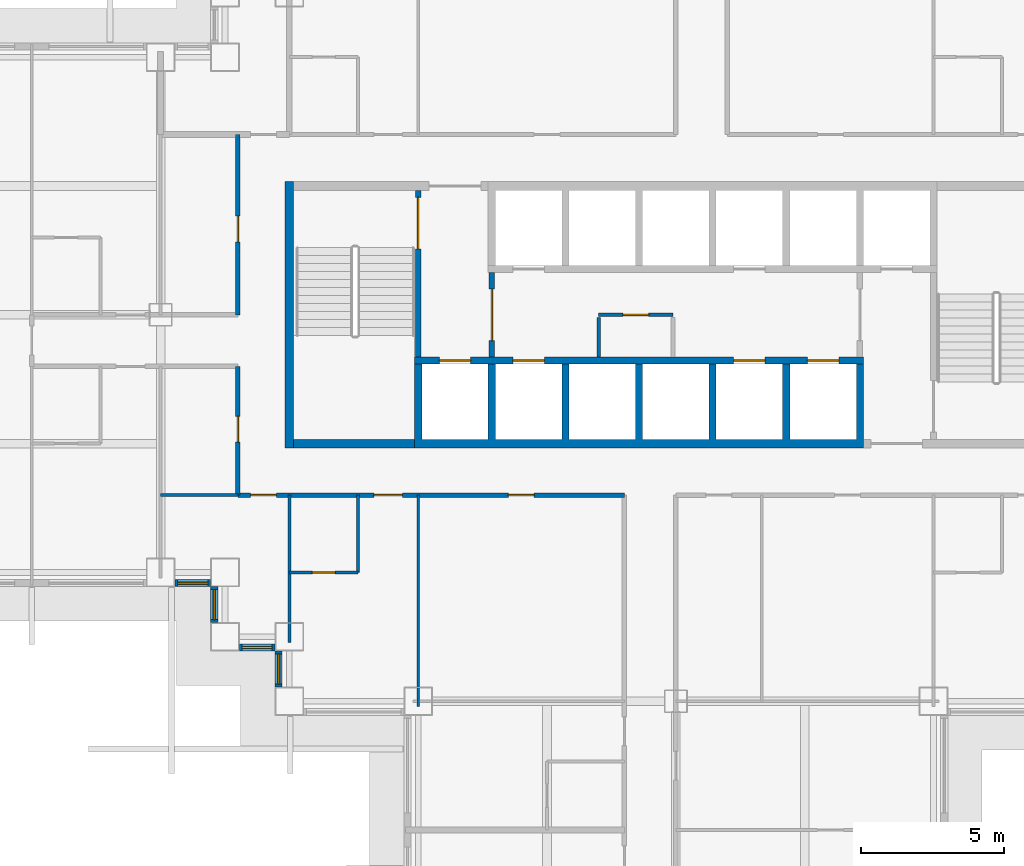
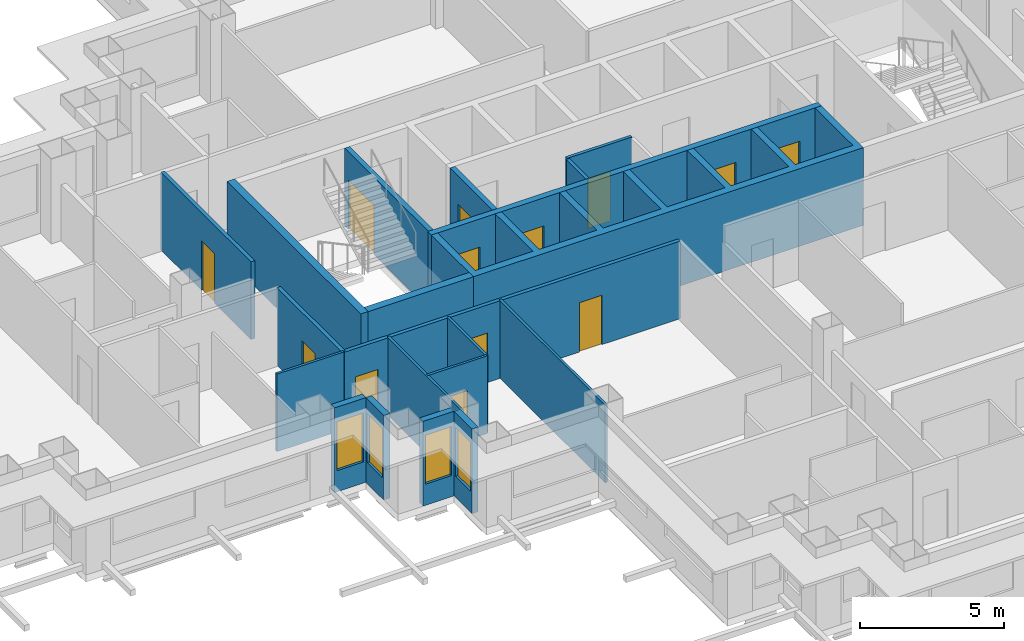
# One storey, part 4 of 15: 20 walls, 13 doors, 4 windows, 17 openings.
"""IFC4 building model written with IfcOpenShell, lengths in metres."""

from ifc_helpers import new_model, si_unit, direction, frame, frame_2d, origin, place, context, subcontext, project, spatial, polyline, rectangle, outline, extrude, material, layer, layer_set, type_object, element, fill, save


model = new_model("IFC4")

# Units and contexts
model_context = context("Model", 3, precision=1e-05, world=origin(), true_north=direction((0.0, 1.0)))
body_context = subcontext(model_context, "Body", "Model", "MODEL_VIEW")
ifc_project = project(units=[si_unit("LENGTHUNIT", "METRE"), si_unit("AREAUNIT", "SQUARE_METRE"), si_unit("VOLUMEUNIT", "CUBIC_METRE"), si_unit("PLANEANGLEUNIT", "RADIAN"), si_unit("MASSUNIT", "GRAM", prefix="KILO")], contexts=[model_context])

# Site, building, storey
site_placement = place(None, origin())
site = spatial("IfcSite", under=ifc_project, at=site_placement, CompositionType="ELEMENT")
building_placement = place(site_placement, origin())
building = spatial("IfcBuilding", under=site, at=building_placement, Name="Caravel Reach Hotel and Residences", CompositionType="ELEMENT")
storey_placement = place(building_placement, frame((0.0, 0.0, 60.0)))
storey = spatial("IfcBuildingStorey", under=building, at=storey_placement, Name="L13", CompositionType="ELEMENT", Elevation=60.0)

# Wall, opening, door
ifc_material_1 = material(Name="Gypsum board on steel stud", Category="steel")
ifc_layer_1 = layer(ifc_material_1, 0.10009765625)
ifc_layer_set_1 = layer_set([ifc_layer_1], Name="Bathroom pod wall 100 mm")
wall_type_1 = type_object("IfcWallType", Name="Bathroom pod wall 100 mm", PredefinedType="PARTITIONING", material=ifc_layer_set_1)
wall_1_placement = place(storey_placement, frame((18.0, 18.0, 0.0), z_axis=(0.0, 0.0, 1.0), x_axis=(1.0, 0.0, 0.0)))
wall_1 = element("IfcWall", 1, at=wall_1_placement, inside=storey, type_object=wall_type_1, Name="L13 wall w075", PredefinedType="PARTITIONING", context=body_context, shape_type="SweptSolid", body=[
    extrude(rectangle(XDim=2.39990234375, YDim=0.10009765625, at=frame_2d((1.199951171875, 0.0))), origin(), (0.0, 0.0, 1.0), 3.300048828125),
])
opening_1_placement = place(wall_1_placement, frame((0.800048828125, 0.0, 0.0)))
opening_1 = element("IfcOpeningElement", 2, at=opening_1_placement, cuts=wall_1, Name="Opening D13-047", PredefinedType="OPENING", context=body_context, shape_type="SweptSolid", body=[
    extrude(rectangle(XDim=0.800048828125, YDim=2.10009765625, at=frame_2d((0.39990234375, 1.050048828125))), frame((0.0, 0.06005859375, 0.0), z_axis=(0.0, -1.0, 0.0), x_axis=(1.0, 0.0, 0.0)), (0.0, 0.0, 1.0), 0.1201171875),
])
ifc_material_2 = material(Name="Timber and steel door leaf", Category="steel")
door_type_1 = type_object("IfcDoorType", Name="Bathroom door 800 x 2100", OperationType="SINGLE_SWING_LEFT", PredefinedType="DOOR", material=ifc_material_2)
door_1_placement = place(opening_1_placement, origin())
door_1 = element("IfcDoor", 3, at=door_1_placement, inside=storey, type_object=door_type_1, Name="door D13-047", OperationType="SINGLE_SWING_LEFT", OverallHeight=2.10009765625, OverallWidth=0.800048828125, PredefinedType="DOOR", context=body_context, shape_type="SweptSolid", body=[
    extrude(rectangle(XDim=0.800048828125, YDim=2.10009765625, at=frame_2d((0.39990234375, 1.050048828125))), frame((0.0, 0.02490234375, 0.0), z_axis=(0.0, -1.0, 0.0), x_axis=(1.0, 0.0, 0.0)), (0.0, 0.0, 1.0), 0.050048828125),
])
fill(opening_1, door_1)

# Walls
wall_2_placement = place(storey_placement, frame((20.39990234375, 18.0, 0.0), z_axis=(0.0, 0.0, 1.0), x_axis=(0.0, 1.0, 0.0)))
element("IfcWall", 4, at=wall_2_placement, inside=storey, type_object=wall_type_1, Name="L13 wall w091", PredefinedType="PARTITIONING", context=body_context, shape_type="SweptSolid", body=[
    extrude(rectangle(XDim=2.699951171875, YDim=0.10009765625, at=frame_2d((1.35009765625, 0.0))), origin(), (0.0, 0.0, 1.0), 3.300048828125),
])
ifc_material_3 = material(Name="Concrete C60", Category="concrete")
ifc_layer_2 = layer(ifc_material_3, 0.300048828125)
ifc_layer_set_2 = layer_set([ifc_layer_2], Name="Core wall 300 mm EI 120")
wall_type_2 = type_object("IfcWallType", Name="Core wall 300 mm EI 120", PredefinedType="SHEAR", material=ifc_layer_set_2)
wall_3_placement = place(storey_placement, frame((18.14990234375, 22.5, 0.0), z_axis=(0.0, 0.0, 1.0), x_axis=(1.0, 0.0, 0.0)))
element("IfcWall", 5, at=wall_3_placement, inside=storey, type_object=wall_type_2, Name="L13 core wall S1", PredefinedType="SHEAR", context=body_context, shape_type="SweptSolid", body=[
    extrude(rectangle(XDim=4.22509765625, YDim=0.300048828125, at=frame_2d((2.112548828125, 0.0))), origin(), (0.0, 0.0, 1.0), 3.300048828125),
])
wall_4_placement = place(storey_placement, frame((18.0, 22.35009765625, 0.0), z_axis=(0.0, 0.0, 1.0), x_axis=(0.0, 1.0, 0.0)))
element("IfcWall", 6, at=wall_4_placement, inside=storey, type_object=wall_type_2, Name="L13 core wall W", PredefinedType="SHEAR", context=body_context, shape_type="SweptSolid", body=[
    extrude(rectangle(XDim=9.2998046875, YDim=0.300048828125, at=frame_2d((4.64990234375, 0.0))), origin(), (0.0, 0.0, 1.0), 3.300048828125),
])

# Wall, openings, doors
ifc_material_4 = material(Name="Gypsum board on steel stud, fire-rated", Category="steel")
ifc_layer_3 = layer(ifc_material_4, 0.14990234375)
ifc_layer_set_3 = layer_set([ifc_layer_3], Name="Corridor wall 150 mm EI 60")
wall_type_3 = type_object("IfcWallType", Name="Corridor wall 150 mm EI 60", PredefinedType="PARTITIONING", material=ifc_layer_set_3)
wall_5_placement = place(storey_placement, frame((16.199951171875, 20.699951171875, 0.0), z_axis=(0.0, 0.0, 1.0), x_axis=(1.0, 0.0, 0.0)))
wall_5 = element("IfcWall", 7, at=wall_5_placement, inside=storey, type_object=wall_type_3, Name="L13 wall w006", PredefinedType="PARTITIONING", context=body_context, shape_type="SweptSolid", body=[
    extrude(rectangle(XDim=13.5, YDim=0.14990234375, at=frame_2d((6.75, 0.0))), origin(), (0.0, 0.0, 1.0), 3.300048828125),
])
opening_2_placement = place(wall_5_placement, frame((4.75, 0.0, 0.0)))
opening_2 = element("IfcOpeningElement", 8, at=opening_2_placement, cuts=wall_5, Name="Opening D13-046", PredefinedType="OPENING", context=body_context, shape_type="SweptSolid", body=[
    extrude(rectangle(XDim=1.0, YDim=2.10009765625, at=frame_2d((0.5, 1.050048828125))), frame((0.0, 0.0849609375, 0.0), z_axis=(0.0, -1.0, 0.0), x_axis=(1.0, 0.0, 0.0)), (0.0, 0.0, 1.0), 0.169921875),
])
opening_3_placement = place(wall_5_placement, frame((0.449951171875, 0.0, 0.0)))
opening_3 = element("IfcOpeningElement", 9, at=opening_3_placement, cuts=wall_5, Name="Opening D13-048", PredefinedType="OPENING", context=body_context, shape_type="SweptSolid", body=[
    extrude(rectangle(XDim=0.89990234375, YDim=2.10009765625, at=frame_2d((0.449951171875, 1.050048828125))), frame((0.0, 0.0849609375, 0.0), z_axis=(0.0, -1.0, 0.0), x_axis=(1.0, 0.0, 0.0)), (0.0, 0.0, 1.0), 0.169921875),
])
opening_4_placement = place(wall_5_placement, frame((9.449951171875, 0.0, 0.0)))
opening_4 = element("IfcOpeningElement", 10, at=opening_4_placement, cuts=wall_5, Name="Opening D13-054", PredefinedType="OPENING", context=body_context, shape_type="SweptSolid", body=[
    extrude(rectangle(XDim=0.89990234375, YDim=2.10009765625, at=frame_2d((0.449951171875, 1.050048828125))), frame((0.0, 0.0849609375, 0.0), z_axis=(0.0, -1.0, 0.0), x_axis=(1.0, 0.0, 0.0)), (0.0, 0.0, 1.0), 0.169921875),
])
ifc_material_5 = material(Name="Timber and steel door leaf", Category="steel")
door_type_2 = type_object("IfcDoorType", Name="Door 900 x 2100 timber", OperationType="SINGLE_SWING_LEFT", PredefinedType="DOOR", material=ifc_material_5)
door_2_placement = place(opening_3_placement, origin())
door_2 = element("IfcDoor", 11, at=door_2_placement, inside=storey, type_object=door_type_2, Name="door D13-048", OperationType="SINGLE_SWING_LEFT", OverallHeight=2.10009765625, OverallWidth=0.89990234375, PredefinedType="DOOR", context=body_context, shape_type="SweptSolid", body=[
    extrude(rectangle(XDim=0.89990234375, YDim=2.10009765625, at=frame_2d((0.449951171875, 1.050048828125))), frame((0.0, 0.02490234375, 0.0), z_axis=(0.0, -1.0, 0.0), x_axis=(1.0, 0.0, 0.0)), (0.0, 0.0, 1.0), 0.050048828125),
])
fill(opening_3, door_2)
door_3_placement = place(opening_4_placement, origin())
door_3 = element("IfcDoor", 12, at=door_3_placement, inside=storey, type_object=door_type_2, Name="door D13-054", OperationType="SINGLE_SWING_RIGHT", OverallHeight=2.10009765625, OverallWidth=0.89990234375, PredefinedType="DOOR", context=body_context, shape_type="SweptSolid", body=[
    extrude(rectangle(XDim=0.89990234375, YDim=2.10009765625, at=frame_2d((0.449951171875, 1.050048828125))), frame((0.0, 0.02490234375, 0.0), z_axis=(0.0, -1.0, 0.0), x_axis=(1.0, 0.0, 0.0)), (0.0, 0.0, 1.0), 0.050048828125),
])
fill(opening_4, door_3)
ifc_material_6 = material(Name="Steel fire door leaf", Category="steel")
door_type_3 = type_object("IfcDoorType", Name="Guest room door 1000 x 2100 EI 30", OperationType="SINGLE_SWING_LEFT", PredefinedType="DOOR", material=ifc_material_6)
door_4_placement = place(opening_2_placement, origin())
door_4 = element("IfcDoor", 13, at=door_4_placement, inside=storey, type_object=door_type_3, Name="door D13-046", OperationType="SINGLE_SWING_RIGHT", OverallHeight=2.10009765625, OverallWidth=1.0, PredefinedType="DOOR", context=body_context, shape_type="SweptSolid", body=[
    extrude(rectangle(XDim=1.0, YDim=2.10009765625, at=frame_2d((0.5, 1.050048828125))), frame((0.0, 0.02490234375, 0.0), z_axis=(0.0, -1.0, 0.0), x_axis=(1.0, 0.0, 0.0)), (0.0, 0.0, 1.0), 0.050048828125),
])
fill(opening_2, door_4)

# Wall, opening, door
wall_6_placement = place(storey_placement, frame((16.199951171875, 27.0, 0.0), z_axis=(0.0, 0.0, 1.0), x_axis=(0.0, 1.0, 0.0)))
wall_6 = element("IfcWall", 14, at=wall_6_placement, inside=storey, type_object=wall_type_3, Name="L13 wall w024", PredefinedType="PARTITIONING", context=body_context, shape_type="SweptSolid", body=[
    extrude(rectangle(XDim=6.300048828125, YDim=0.14990234375, at=frame_2d((3.14990234375, 0.0))), origin(), (0.0, 0.0, 1.0), 3.300048828125),
])
opening_5_placement = place(wall_6_placement, frame((2.550048828125, 0.0, 0.0)))
opening_5 = element("IfcOpeningElement", 15, at=opening_5_placement, cuts=wall_6, Name="Opening D13-058", PredefinedType="OPENING", context=body_context, shape_type="SweptSolid", body=[
    extrude(rectangle(XDim=0.89990234375, YDim=2.10009765625, at=frame_2d((0.449951171875, 1.050048828125))), frame((0.0, 0.0849609375, 0.0), z_axis=(0.0, -1.0, 0.0), x_axis=(1.0, 0.0, 0.0)), (0.0, 0.0, 1.0), 0.169921875),
])
door_5_placement = place(opening_5_placement, origin())
door_5 = element("IfcDoor", 16, at=door_5_placement, inside=storey, type_object=door_type_2, Name="door D13-058", OperationType="SINGLE_SWING_LEFT", OverallHeight=2.10009765625, OverallWidth=0.89990234375, PredefinedType="DOOR", context=body_context, shape_type="SweptSolid", body=[
    extrude(rectangle(XDim=0.89990234375, YDim=2.10009765625, at=frame_2d((0.449951171875, 1.050048828125))), frame((0.0, 0.02490234375, 0.0), z_axis=(0.0, -1.0, 0.0), x_axis=(1.0, 0.0, 0.0)), (0.0, 0.0, 1.0), 0.050048828125),
])
fill(opening_5, door_5)

wall_7_placement = place(storey_placement, frame((16.199951171875, 20.699951171875, 0.0), z_axis=(0.0, 0.0, 1.0), x_axis=(0.0, 1.0, 0.0)))
wall_7 = element("IfcWall", 17, at=wall_7_placement, inside=storey, type_object=wall_type_3, Name="L13 wall w025", PredefinedType="PARTITIONING", context=body_context, shape_type="SweptSolid", body=[
    extrude(rectangle(XDim=4.5, YDim=0.14990234375, at=frame_2d((2.25, 0.0))), origin(), (0.0, 0.0, 1.0), 3.300048828125),
])
opening_6_placement = place(wall_7_placement, frame((1.85009765625, 0.0, 0.0)))
opening_6 = element("IfcOpeningElement", 18, at=opening_6_placement, cuts=wall_7, Name="Opening D13-057", PredefinedType="OPENING", context=body_context, shape_type="SweptSolid", body=[
    extrude(rectangle(XDim=0.89990234375, YDim=2.10009765625, at=frame_2d((0.449951171875, 1.050048828125))), frame((0.0, 0.0849609375, 0.0), z_axis=(0.0, -1.0, 0.0), x_axis=(1.0, 0.0, 0.0)), (0.0, 0.0, 1.0), 0.169921875),
])
door_6_placement = place(opening_6_placement, origin())
door_6 = element("IfcDoor", 19, at=door_6_placement, inside=storey, type_object=door_type_2, Name="door D13-057", OperationType="SINGLE_SWING_RIGHT", OverallHeight=2.10009765625, OverallWidth=0.89990234375, PredefinedType="DOOR", context=body_context, shape_type="SweptSolid", body=[
    extrude(rectangle(XDim=0.89990234375, YDim=2.10009765625, at=frame_2d((0.449951171875, 1.050048828125))), frame((0.0, 0.02490234375, 0.0), z_axis=(0.0, -1.0, 0.0), x_axis=(1.0, 0.0, 0.0)), (0.0, 0.0, 1.0), 0.050048828125),
])
fill(opening_6, door_6)

# Wall, opening, window
ifc_material_7 = material(Name="Insulated rainscreen wall, aluminium cladding", Category="aluminium")
ifc_layer_4 = layer(ifc_material_7, 0.25)
ifc_layer_set_4 = layer_set([ifc_layer_4], Name="EW1 Tower rainscreen wall")
wall_type_4 = type_object("IfcWallType", Name="EW1 Tower rainscreen wall", PredefinedType="SOLIDWALL", material=ifc_layer_set_4)
wall_8_placement = place(storey_placement, frame((14.0, 17.625, 0.0), z_axis=(0.0, 0.0, 1.0), x_axis=(1.0, 0.0, 0.0)))
wall_8 = element("IfcWall", 20, at=wall_8_placement, inside=storey, type_object=wall_type_4, Name="External wall L13 S55.2", PredefinedType="SOLIDWALL", context=body_context, shape_type="SweptSolid", body=[
    extrude(rectangle(XDim=1.25, YDim=0.25, at=frame_2d((0.625, 0.0))), origin(), (0.0, 0.0, 1.0), 3.60009765625),
])
opening_7_placement = place(wall_8_placement, frame((0.10009765625, 0.0, 0.89990234375)))
opening_7 = element("IfcOpeningElement", 21, at=opening_7_placement, cuts=wall_8, Name="Opening WN3", PredefinedType="OPENING", context=body_context, shape_type="SweptSolid", body=[
    extrude(rectangle(XDim=1.050048828125, YDim=2.080078125, at=frame_2d((0.52490234375, 1.0400390625))), frame((0.0, 0.135009765625, 0.0), z_axis=(0.0, -1.0, 0.0), x_axis=(1.0, 0.0, 0.0)), (0.0, 0.0, 1.0), 0.27001953125),
])
ifc_material_8 = material(Name="Dark low-e glazing in black aluminium frame", Category="aluminium")
window_type = type_object("IfcWindowType", Name="Hotel suite corner window 1050 x 2080", PartitioningType="SINGLE_PANEL", PredefinedType="WINDOW", material=ifc_material_8)
window_1_placement = place(opening_7_placement, origin())
window_1 = element("IfcWindow", 22, at=window_1_placement, inside=storey, type_object=window_type, Name="Window L13 S55.2.1", OverallHeight=2.080078125, OverallWidth=1.050048828125, PartitioningType="SINGLE_PANEL", PredefinedType="WINDOW", context=body_context, shape_type="SweptSolid", body=[
    extrude(rectangle(XDim=1.050048828125, YDim=2.080078125, at=frame_2d((0.52490234375, 1.0400390625))), frame((0.0, 0.030029296875, 0.0), z_axis=(0.0, -1.0, 0.0), x_axis=(1.0, 0.0, 0.0)), (0.0, 0.0, 1.0), 0.06005859375),
])
fill(opening_7, window_1)

wall_9_placement = place(storey_placement, frame((15.375, 17.5, 0.0), z_axis=(0.0, 0.0, 1.0), x_axis=(0.0, -1.0, 0.0)))
wall_9 = element("IfcWall", 23, at=wall_9_placement, inside=storey, type_object=wall_type_4, Name="External wall L13 W56.1", PredefinedType="SOLIDWALL", context=body_context, shape_type="SweptSolid", body=[
    extrude(rectangle(XDim=1.25, YDim=0.25, at=frame_2d((0.625, 0.0))), origin(), (0.0, 0.0, 1.0), 3.60009765625),
])
opening_8_placement = place(wall_9_placement, frame((0.10009765625, 0.0, 0.89990234375)))
opening_8 = element("IfcOpeningElement", 24, at=opening_8_placement, cuts=wall_9, Name="Opening WN3", PredefinedType="OPENING", context=body_context, shape_type="SweptSolid", body=[
    extrude(rectangle(XDim=1.050048828125, YDim=2.080078125, at=frame_2d((0.52490234375, 1.0400390625))), frame((0.0, 0.135009765625, 0.0), z_axis=(0.0, -1.0, 0.0), x_axis=(1.0, 0.0, 0.0)), (0.0, 0.0, 1.0), 0.27001953125),
])
window_2_placement = place(opening_8_placement, origin())
window_2 = element("IfcWindow", 25, at=window_2_placement, inside=storey, type_object=window_type, Name="Window L13 W56.1.1", OverallHeight=2.080078125, OverallWidth=1.050048828125, PartitioningType="SINGLE_PANEL", PredefinedType="WINDOW", context=body_context, shape_type="SweptSolid", body=[
    extrude(rectangle(XDim=1.050048828125, YDim=2.080078125, at=frame_2d((0.52490234375, 1.0400390625))), frame((0.0, 0.030029296875, 0.0), z_axis=(0.0, -1.0, 0.0), x_axis=(1.0, 0.0, 0.0)), (0.0, 0.0, 1.0), 0.06005859375),
])
fill(opening_8, window_2)

wall_10_placement = place(storey_placement, frame((16.25, 15.375, 0.0), z_axis=(0.0, 0.0, 1.0), x_axis=(1.0, 0.0, 0.0)))
wall_10 = element("IfcWall", 26, at=wall_10_placement, inside=storey, type_object=wall_type_4, Name="External wall L13 S57.1", PredefinedType="SOLIDWALL", context=body_context, shape_type="SweptSolid", body=[
    extrude(rectangle(XDim=1.25, YDim=0.25, at=frame_2d((0.625, 0.0))), origin(), (0.0, 0.0, 1.0), 3.60009765625),
])
opening_9_placement = place(wall_10_placement, frame((0.10009765625, 0.0, 0.89990234375)))
opening_9 = element("IfcOpeningElement", 27, at=opening_9_placement, cuts=wall_10, Name="Opening WN3", PredefinedType="OPENING", context=body_context, shape_type="SweptSolid", body=[
    extrude(rectangle(XDim=1.050048828125, YDim=2.080078125, at=frame_2d((0.52490234375, 1.0400390625))), frame((0.0, 0.135009765625, 0.0), z_axis=(0.0, -1.0, 0.0), x_axis=(1.0, 0.0, 0.0)), (0.0, 0.0, 1.0), 0.27001953125),
])
window_3_placement = place(opening_9_placement, origin())
window_3 = element("IfcWindow", 28, at=window_3_placement, inside=storey, type_object=window_type, Name="Window L13 S57.1.1", OverallHeight=2.080078125, OverallWidth=1.050048828125, PartitioningType="SINGLE_PANEL", PredefinedType="WINDOW", context=body_context, shape_type="SweptSolid", body=[
    extrude(rectangle(XDim=1.050048828125, YDim=2.080078125, at=frame_2d((0.52490234375, 1.0400390625))), frame((0.0, 0.030029296875, 0.0), z_axis=(0.0, -1.0, 0.0), x_axis=(1.0, 0.0, 0.0)), (0.0, 0.0, 1.0), 0.06005859375),
])
fill(opening_9, window_3)

wall_11_placement = place(storey_placement, frame((17.625, 15.25, 0.0), z_axis=(0.0, 0.0, 1.0), x_axis=(0.0, -1.0, 0.0)))
wall_11 = element("IfcWall", 29, at=wall_11_placement, inside=storey, type_object=wall_type_4, Name="External wall L13 W58.1", PredefinedType="SOLIDWALL", context=body_context, shape_type="SweptSolid", body=[
    extrude(rectangle(XDim=1.25, YDim=0.25, at=frame_2d((0.625, 0.0))), origin(), (0.0, 0.0, 1.0), 3.60009765625),
])
opening_10_placement = place(wall_11_placement, frame((0.10009765625, 0.0, 0.89990234375)))
opening_10 = element("IfcOpeningElement", 30, at=opening_10_placement, cuts=wall_11, Name="Opening WN3", PredefinedType="OPENING", context=body_context, shape_type="SweptSolid", body=[
    extrude(rectangle(XDim=1.050048828125, YDim=2.080078125, at=frame_2d((0.52490234375, 1.0400390625))), frame((0.0, 0.135009765625, 0.0), z_axis=(0.0, -1.0, 0.0), x_axis=(1.0, 0.0, 0.0)), (0.0, 0.0, 1.0), 0.27001953125),
])
window_4_placement = place(opening_10_placement, origin())
window_4 = element("IfcWindow", 31, at=window_4_placement, inside=storey, type_object=window_type, Name="Window L13 W58.1.1", OverallHeight=2.080078125, OverallWidth=1.050048828125, PartitioningType="SINGLE_PANEL", PredefinedType="WINDOW", context=body_context, shape_type="SweptSolid", body=[
    extrude(rectangle(XDim=1.050048828125, YDim=2.080078125, at=frame_2d((0.52490234375, 1.0400390625))), frame((0.0, 0.030029296875, 0.0), z_axis=(0.0, -1.0, 0.0), x_axis=(1.0, 0.0, 0.0)), (0.0, 0.0, 1.0), 0.06005859375),
])
fill(opening_10, window_4)

# Wall, opening, door
ifc_material_9 = material(Name="Autoclaved aerated block wall")
ifc_layer_5 = layer(ifc_material_9, 0.199951171875)
ifc_layer_set_5 = layer_set([ifc_layer_5], Name="Fire lobby wall 200 mm EI 120")
wall_type_5 = type_object("IfcWallType", Name="Fire lobby wall 200 mm EI 120", PredefinedType="PARTITIONING", material=ifc_layer_set_5)
wall_12_placement = place(storey_placement, frame((25.071533203125, 25.52490234375, 0.0), z_axis=(0.0, 0.0, 1.0), x_axis=(0.0, 1.0, 0.0)))
wall_12 = element("IfcWall", 32, at=wall_12_placement, inside=storey, type_object=wall_type_5, Name="L13 lobby W wall", PredefinedType="PARTITIONING", context=body_context, shape_type="SweptSolid", body=[
    extrude(rectangle(XDim=2.9501953125, YDim=0.199951171875, at=frame_2d((1.47509765625, 0.0))), origin(), (0.0, 0.0, 1.0), 3.300048828125),
])
opening_11_placement = place(wall_12_placement, frame((0.574951171875, 0.0, 0.0)))
opening_11 = element("IfcOpeningElement", 33, at=opening_11_placement, cuts=wall_12, Name="Opening D13-011", PredefinedType="OPENING", context=body_context, shape_type="SweptSolid", body=[
    extrude(rectangle(XDim=1.800048828125, YDim=2.10009765625, at=frame_2d((0.89990234375, 1.050048828125))), frame((0.0, 0.10986328125, 0.0), z_axis=(0.0, -1.0, 0.0), x_axis=(1.0, 0.0, 0.0)), (0.0, 0.0, 1.0), 0.219970703125),
])
ifc_material_10 = material(Name="Steel fire door leaf", Category="steel")
door_type_4 = type_object("IfcDoorType", Name="Fire lobby door pair 1800 x 2100 EI 90", OperationType="DOUBLE_DOOR_SINGLE_SWING", PredefinedType="DOOR", material=ifc_material_10)
door_7_placement = place(opening_11_placement, origin())
door_7 = element("IfcDoor", 34, at=door_7_placement, inside=storey, type_object=door_type_4, Name="lobby W door pair", OperationType="DOUBLE_DOOR_SINGLE_SWING", OverallHeight=2.10009765625, OverallWidth=1.800048828125, PredefinedType="DOOR", context=body_context, shape_type="SweptSolid", body=[
    extrude(rectangle(XDim=1.800048828125, YDim=2.10009765625, at=frame_2d((0.89990234375, 1.050048828125))), frame((0.0, 0.02490234375, 0.0), z_axis=(0.0, -1.0, 0.0), x_axis=(1.0, 0.0, 0.0)), (0.0, 0.0, 1.0), 0.050048828125),
])
fill(opening_11, door_7)

# Walls
ifc_material_11 = material(Name="Gypsum board on steel stud", Category="steel")
ifc_layer_6 = layer(ifc_material_11, 0.10009765625)
ifc_layer_set_6 = layer_set([ifc_layer_6], Name="Partition 100 mm")
wall_type_6 = type_object("IfcWallType", Name="Partition 100 mm", PredefinedType="PARTITIONING", material=ifc_layer_set_6)
wall_13_placement = place(storey_placement, frame((13.5, 20.699951171875, 0.0), z_axis=(0.0, 0.0, 1.0), x_axis=(1.0, 0.0, 0.0)))
element("IfcWall", 35, at=wall_13_placement, inside=storey, type_object=wall_type_6, Name="L13 wall w043", PredefinedType="PARTITIONING", context=body_context, shape_type="SweptSolid", body=[
    extrude(rectangle(XDim=2.699951171875, YDim=0.10009765625, at=frame_2d((1.35009765625, 0.0))), origin(), (0.0, 0.0, 1.0), 3.300048828125),
])
wall_14_placement = place(storey_placement, frame((18.0, 15.56005859375, 0.0), z_axis=(0.0, 0.0, 1.0), x_axis=(0.0, 1.0, 0.0)))
element("IfcWall", 36, at=wall_14_placement, inside=storey, type_object=wall_type_6, Name="L13 wall w056", PredefinedType="PARTITIONING", context=body_context, shape_type="SweptSolid", body=[
    extrude(rectangle(XDim=5.139892578125, YDim=0.10009765625, at=frame_2d((2.56982421875, 0.0))), origin(), (0.0, 0.0, 1.0), 3.300048828125),
])
wall_15_placement = place(storey_placement, frame((22.5, 13.31005859375, 0.0), z_axis=(0.0, 0.0, 1.0), x_axis=(0.0, 1.0, 0.0)))
element("IfcWall", 37, at=wall_15_placement, inside=storey, type_object=wall_type_6, Name="L13 wall w058", PredefinedType="PARTITIONING", context=body_context, shape_type="SweptSolid", body=[
    extrude(rectangle(XDim=7.389892578125, YDim=0.10009765625, at=frame_2d((3.69482421875, 0.0))), origin(), (0.0, 0.0, 1.0), 3.300048828125),
])

# Wall, opening, door
ifc_material_12 = material(Name="Autoclaved aerated block wall")
ifc_layer_7 = layer(ifc_material_12, 0.125)
ifc_layer_set_7 = layer_set([ifc_layer_7], Name="Riser wall 125 mm EI 60")
wall_type_7 = type_object("IfcWallType", Name="Riser wall 125 mm EI 60", PredefinedType="PARTITIONING", material=ifc_layer_set_7)
wall_16_placement = place(storey_placement, frame((28.800048828125, 27.0, 0.0), z_axis=(0.0, 0.0, 1.0), x_axis=(1.0, 0.0, 0.0)))
wall_16 = element("IfcWall", 38, at=wall_16_placement, inside=storey, type_object=wall_type_7, Name="L13 service room wall S1", PredefinedType="PARTITIONING", context=body_context, shape_type="SweptSolid", body=[
    extrude(rectangle(XDim=2.599853515625, YDim=0.125, at=frame_2d((1.2998046875, 0.0))), origin(), (0.0, 0.0, 1.0), 3.300048828125),
])
opening_12_placement = place(wall_16_placement, frame((0.85009765625, 0.0, 0.0)))
opening_12 = element("IfcOpeningElement", 39, at=opening_12_placement, cuts=wall_16, Name="Opening D13-008", PredefinedType="OPENING", context=body_context, shape_type="SweptSolid", body=[
    extrude(rectangle(XDim=0.89990234375, YDim=2.10009765625, at=frame_2d((0.449951171875, 1.050048828125))), frame((0.0, 0.072509765625, 0.0), z_axis=(0.0, -1.0, 0.0), x_axis=(1.0, 0.0, 0.0)), (0.0, 0.0, 1.0), 0.14501953125),
])
ifc_material_13 = material(Name="Steel fire door leaf", Category="steel")
door_type_5 = type_object("IfcDoorType", Name="Riser door 900 x 2100 EI 60", OperationType="SINGLE_SWING_LEFT", PredefinedType="DOOR", material=ifc_material_13)
door_8_placement = place(opening_12_placement, origin())
door_8 = element("IfcDoor", 40, at=door_8_placement, inside=storey, type_object=door_type_5, Name="Service store door", OperationType="SINGLE_SWING_LEFT", OverallHeight=2.10009765625, OverallWidth=0.89990234375, PredefinedType="DOOR", context=body_context, shape_type="SweptSolid", body=[
    extrude(rectangle(XDim=0.89990234375, YDim=2.10009765625, at=frame_2d((0.449951171875, 1.050048828125))), frame((0.0, 0.02490234375, 0.0), z_axis=(0.0, -1.0, 0.0), x_axis=(1.0, 0.0, 0.0)), (0.0, 0.0, 1.0), 0.050048828125),
])
fill(opening_12, door_8)

# Walls
wall_17_placement = place(storey_placement, frame((28.800048828125, 25.52490234375, 0.0), z_axis=(0.0, 0.0, 1.0), x_axis=(0.0, 1.0, 0.0)))
element("IfcWall", 41, at=wall_17_placement, inside=storey, type_object=wall_type_7, Name="L13 service room partition S1", PredefinedType="PARTITIONING", context=body_context, shape_type="SweptSolid", body=[
    extrude(rectangle(XDim=1.375, YDim=0.125, at=frame_2d((0.6875, 0.0))), origin(), (0.0, 0.0, 1.0), 3.300048828125),
])
ifc_material_14 = material(Name="Concrete C60", Category="concrete")
ifc_layer_8 = layer(ifc_material_14, 0.25)
ifc_layer_set_8 = layer_set([ifc_layer_8], Name="Shaft wall 250 mm EI 120")
wall_type_8 = type_object("IfcWallType", Name="Shaft wall 250 mm EI 120", PredefinedType="SHEAR", material=ifc_layer_set_8)
wall_18_placement = place(storey_placement, origin())
element("IfcWall", 42, at=wall_18_placement, inside=storey, type_object=wall_type_8, Name="L13 lift shaft wall S1", PredefinedType="SHEAR", context=body_context, shape_type="SweptSolid", body=[
    extrude(outline(polyline([(22.375, 22.35009765625), (38.053466796875, 22.35009765625), (38.053466796875, 25.27490234375), (37.803466796875, 25.27490234375), (37.803466796875, 22.64990234375), (35.482177734375, 22.64990234375), (35.482177734375, 25.27490234375), (35.232177734375, 25.27490234375), (35.232177734375, 22.64990234375), (32.91064453125, 22.64990234375), (32.91064453125, 25.27490234375), (32.66064453125, 25.27490234375), (32.66064453125, 22.64990234375), (30.33935546875, 22.64990234375), (30.33935546875, 25.27490234375), (30.08935546875, 25.27490234375), (30.08935546875, 22.64990234375), (27.767822265625, 22.64990234375), (27.767822265625, 25.27490234375), (27.517822265625, 25.27490234375), (27.517822265625, 22.64990234375), (25.196533203125, 22.64990234375), (25.196533203125, 25.27490234375), (24.946533203125, 25.27490234375), (24.946533203125, 22.64990234375), (22.625, 22.64990234375), (22.625, 25.27490234375), (22.375, 25.27490234375), (22.375, 22.35009765625)])), origin(), (0.0, 0.0, 1.0), 3.300048828125),
])

# Wall, openings, doors
wall_19_placement = place(storey_placement, frame((22.375, 25.39990234375, 0.0), z_axis=(0.0, 0.0, 1.0), x_axis=(1.0, 0.0, 0.0)))
wall_19 = element("IfcWall", 43, at=wall_19_placement, inside=storey, type_object=wall_type_8, Name="L13 lobby wall S1", PredefinedType="SHEAR", context=body_context, shape_type="SweptSolid", body=[
    extrude(rectangle(XDim=15.678466796875, YDim=0.25, at=frame_2d((7.83935546875, 0.0))), origin(), (0.0, 0.0, 1.0), 3.300048828125),
])
opening_13_placement = place(wall_19_placement, frame((3.43212890625, 0.0, 0.0)))
opening_13 = element("IfcOpeningElement", 44, at=opening_13_placement, cuts=wall_19, Name="Opening D13-001", PredefinedType="OPENING", context=body_context, shape_type="SweptSolid", body=[
    extrude(rectangle(XDim=1.10009765625, YDim=2.10009765625, at=frame_2d((0.550048828125, 1.050048828125))), frame((0.0, 0.135009765625, 0.0), z_axis=(0.0, -1.0, 0.0), x_axis=(1.0, 0.0, 0.0)), (0.0, 0.0, 1.0), 0.27001953125),
])
opening_14_placement = place(wall_19_placement, frame((11.146484375, 0.0, 0.0)))
opening_14 = element("IfcOpeningElement", 45, at=opening_14_placement, cuts=wall_19, Name="Opening D13-002", PredefinedType="OPENING", context=body_context, shape_type="SweptSolid", body=[
    extrude(rectangle(XDim=1.10009765625, YDim=2.10009765625, at=frame_2d((0.550048828125, 1.050048828125))), frame((0.0, 0.135009765625, 0.0), z_axis=(0.0, -1.0, 0.0), x_axis=(1.0, 0.0, 0.0)), (0.0, 0.0, 1.0), 0.27001953125),
])
opening_15_placement = place(wall_19_placement, frame((13.718017578125, 0.0, 0.0)))
opening_15 = element("IfcOpeningElement", 46, at=opening_15_placement, cuts=wall_19, Name="Opening D13-003", PredefinedType="OPENING", context=body_context, shape_type="SweptSolid", body=[
    extrude(rectangle(XDim=1.10009765625, YDim=2.10009765625, at=frame_2d((0.550048828125, 1.050048828125))), frame((0.0, 0.135009765625, 0.0), z_axis=(0.0, -1.0, 0.0), x_axis=(1.0, 0.0, 0.0)), (0.0, 0.0, 1.0), 0.27001953125),
])
opening_16_placement = place(wall_19_placement, frame((0.860595703125, 0.0, 0.0)))
opening_16 = element("IfcOpeningElement", 47, at=opening_16_placement, cuts=wall_19, Name="Opening D13-006", PredefinedType="OPENING", context=body_context, shape_type="SweptSolid", body=[
    extrude(rectangle(XDim=1.10009765625, YDim=2.10009765625, at=frame_2d((0.550048828125, 1.050048828125))), frame((0.0, 0.135009765625, 0.0), z_axis=(0.0, -1.0, 0.0), x_axis=(1.0, 0.0, 0.0)), (0.0, 0.0, 1.0), 0.27001953125),
])
ifc_material_15 = material(Name="Stainless steel landing door", Category="steel")
door_type_6 = type_object("IfcDoorType", Name="Landing door LD 1100 x 2100 sliding", OperationType="DOUBLE_DOOR_SLIDING", PredefinedType="DOOR", material=ifc_material_15)
door_9_placement = place(opening_13_placement, origin())
door_9 = element("IfcDoor", 48, at=door_9_placement, inside=storey, type_object=door_type_6, Name="LP1 landing door", OperationType="DOUBLE_DOOR_SLIDING", OverallHeight=2.10009765625, OverallWidth=1.10009765625, PredefinedType="DOOR", context=body_context, shape_type="SweptSolid", body=[
    extrude(rectangle(XDim=1.10009765625, YDim=2.10009765625, at=frame_2d((0.550048828125, 1.050048828125))), frame((0.0, 0.02490234375, 0.0), z_axis=(0.0, -1.0, 0.0), x_axis=(1.0, 0.0, 0.0)), (0.0, 0.0, 1.0), 0.050048828125),
])
fill(opening_13, door_9)
door_10_placement = place(opening_14_placement, origin())
door_10 = element("IfcDoor", 49, at=door_10_placement, inside=storey, type_object=door_type_6, Name="LP2 landing door", OperationType="DOUBLE_DOOR_SLIDING", OverallHeight=2.10009765625, OverallWidth=1.10009765625, PredefinedType="DOOR", context=body_context, shape_type="SweptSolid", body=[
    extrude(rectangle(XDim=1.10009765625, YDim=2.10009765625, at=frame_2d((0.550048828125, 1.050048828125))), frame((0.0, 0.02490234375, 0.0), z_axis=(0.0, -1.0, 0.0), x_axis=(1.0, 0.0, 0.0)), (0.0, 0.0, 1.0), 0.050048828125),
])
fill(opening_14, door_10)
door_11_placement = place(opening_15_placement, origin())
door_11 = element("IfcDoor", 50, at=door_11_placement, inside=storey, type_object=door_type_6, Name="LP3 landing door", OperationType="DOUBLE_DOOR_SLIDING", OverallHeight=2.10009765625, OverallWidth=1.10009765625, PredefinedType="DOOR", context=body_context, shape_type="SweptSolid", body=[
    extrude(rectangle(XDim=1.10009765625, YDim=2.10009765625, at=frame_2d((0.550048828125, 1.050048828125))), frame((0.0, 0.02490234375, 0.0), z_axis=(0.0, -1.0, 0.0), x_axis=(1.0, 0.0, 0.0)), (0.0, 0.0, 1.0), 0.050048828125),
])
fill(opening_15, door_11)
door_12_placement = place(opening_16_placement, origin())
door_12 = element("IfcDoor", 51, at=door_12_placement, inside=storey, type_object=door_type_6, Name="FL1 landing door", OperationType="DOUBLE_DOOR_SLIDING", OverallHeight=2.10009765625, OverallWidth=1.10009765625, PredefinedType="DOOR", context=body_context, shape_type="SweptSolid", body=[
    extrude(rectangle(XDim=1.10009765625, YDim=2.10009765625, at=frame_2d((0.550048828125, 1.050048828125))), frame((0.0, 0.02490234375, 0.0), z_axis=(0.0, -1.0, 0.0), x_axis=(1.0, 0.0, 0.0)), (0.0, 0.0, 1.0), 0.050048828125),
])
fill(opening_16, door_12)

# Wall, opening, door
ifc_material_16 = material(Name="Concrete C60", Category="concrete")
ifc_layer_9 = layer(ifc_material_16, 0.199951171875)
ifc_layer_set_9 = layer_set([ifc_layer_9], Name="Stair enclosure wall 200 mm EI 120")
wall_type_9 = type_object("IfcWallType", Name="Stair enclosure wall 200 mm EI 120", PredefinedType="SHEAR", material=ifc_layer_set_9)
wall_20_placement = place(storey_placement, frame((22.5, 31.35009765625, 0.0), z_axis=(0.0, 0.0, 1.0), x_axis=(0.0, -1.0, 0.0)))
wall_20 = element("IfcWall", 52, at=wall_20_placement, inside=storey, type_object=wall_type_9, Name="L13 stair A wall", PredefinedType="SHEAR", context=body_context, shape_type="SweptSolid", body=[
    extrude(rectangle(XDim=5.8251953125, YDim=0.199951171875, at=frame_2d((2.91259765625, 0.0))), origin(), (0.0, 0.0, 1.0), 3.300048828125),
])
opening_17_placement = place(wall_20_placement, frame((0.25, 0.0, 0.0)))
opening_17 = element("IfcOpeningElement", 53, at=opening_17_placement, cuts=wall_20, Name="Opening D13-009", PredefinedType="OPENING", context=body_context, shape_type="SweptSolid", body=[
    extrude(rectangle(XDim=1.800048828125, YDim=2.10009765625, at=frame_2d((0.89990234375, 1.050048828125))), frame((0.0, 0.10986328125, 0.0), z_axis=(0.0, -1.0, 0.0), x_axis=(1.0, 0.0, 0.0)), (0.0, 0.0, 1.0), 0.219970703125),
])
ifc_material_17 = material(Name="Steel fire door leaf", Category="steel")
door_type_7 = type_object("IfcDoorType", Name="Stair door pair 1800 x 2100 EI 90", OperationType="DOUBLE_DOOR_SINGLE_SWING", PredefinedType="DOOR", material=ifc_material_17)
door_13_placement = place(opening_17_placement, origin())
door_13 = element("IfcDoor", 54, at=door_13_placement, inside=storey, type_object=door_type_7, Name="stair A door pair", OperationType="DOUBLE_DOOR_SINGLE_SWING", OverallHeight=2.10009765625, OverallWidth=1.800048828125, PredefinedType="DOOR", context=body_context, shape_type="SweptSolid", body=[
    extrude(rectangle(XDim=1.800048828125, YDim=2.10009765625, at=frame_2d((0.89990234375, 1.050048828125))), frame((0.0, 0.02490234375, 0.0), z_axis=(0.0, -1.0, 0.0), x_axis=(1.0, 0.0, 0.0)), (0.0, 0.0, 1.0), 0.050048828125),
])
fill(opening_17, door_13)

save(model, "model.ifc")
